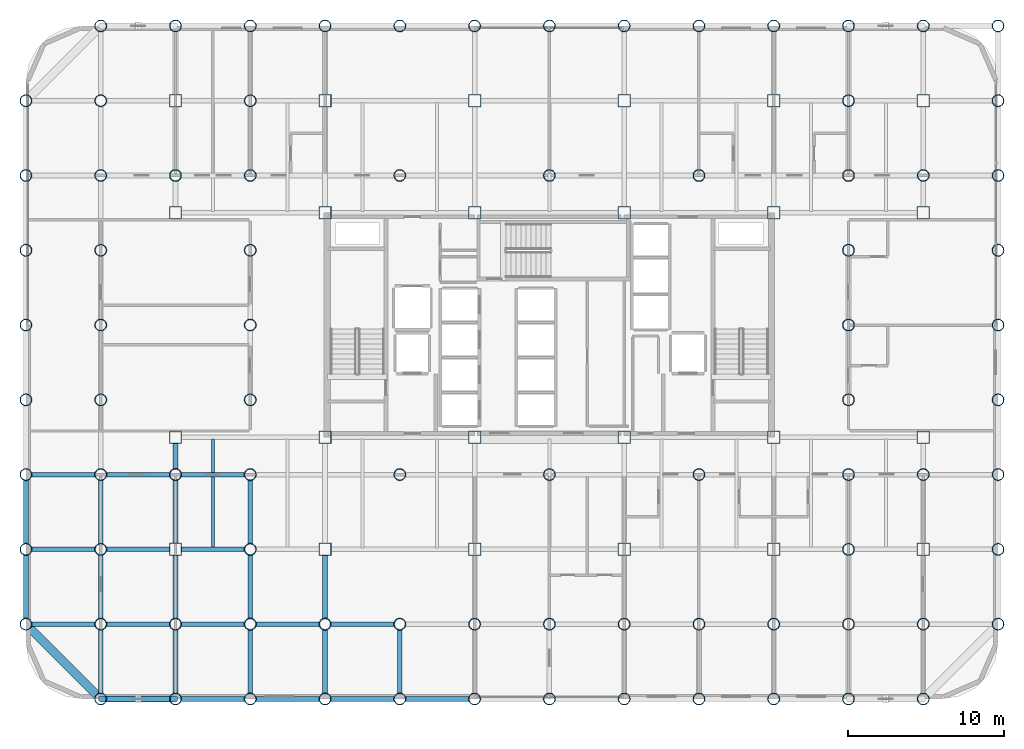
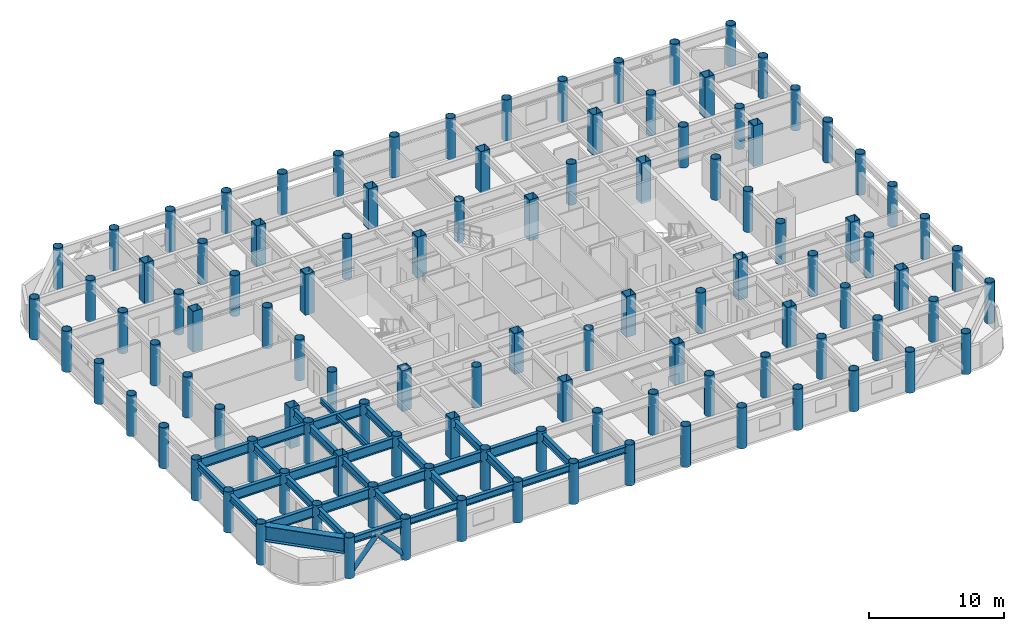
# One storey, part 1 of 21: 108 columns, 33 beams, 2 members.
"""IFC4 building model written with IfcOpenShell, lengths in metres."""

from ifc_helpers import new_model, si_unit, direction, frame, origin, origin_2d, place, context, subcontext, project, spatial, hollow_rectangle, hollow_circle, i_section, extrude, material, material_profile, profile_set, type_object, element, save


model = new_model("IFC4")

# Units and contexts
model_context = context("Model", 3, precision=1e-05, world=origin(), true_north=direction((0.0, 1.0)))
body_context = subcontext(model_context, "Body", "Model", "MODEL_VIEW")
ifc_project = project(units=[si_unit("LENGTHUNIT", "METRE"), si_unit("AREAUNIT", "SQUARE_METRE"), si_unit("VOLUMEUNIT", "CUBIC_METRE"), si_unit("PLANEANGLEUNIT", "RADIAN"), si_unit("MASSUNIT", "GRAM", prefix="KILO")], contexts=[model_context])

# Site, building, storey
site_placement = place(None, origin())
site = spatial("IfcSite", under=ifc_project, at=site_placement, CompositionType="ELEMENT")
building_placement = place(site_placement, origin())
building = spatial("IfcBuilding", under=site, at=building_placement, Name="Kallvorn Hotel Tower", CompositionType="ELEMENT")
storey_placement = place(building_placement, frame((0.0, 0.0, 44.800048828125)))
storey = spatial("IfcBuildingStorey", under=building, at=storey_placement, Name="L09", CompositionType="ELEMENT", Elevation=44.800048828125)

# Columns
ifc_material_1 = material(Name="Structural steel S355J2H", Category="steel")
ifc_material_profile_1 = material_profile(ifc_material_1, hollow_circle(Radius=0.381103515625, WallThickness=0.031982421875, at=origin_2d()), Name="CHS 762x32")
ifc_profile_set_1 = profile_set([ifc_material_profile_1], Name="Structural steel S355J2H")
column_type_1 = type_object("IfcColumnType", Name="COL_CHS_762", PredefinedType="COLUMN", material=ifc_profile_set_1)
for number, where, z_axis, x_axis, name in (
    (1, (-33.60009765625, -19.199951171875, 0.0), (0.0, 0.0, 1.0), (1.0, 0.0, 0.0), "L09 Exoskeleton Column EC01"),
    (2, (-33.60009765625, -14.39990234375, 0.0), (0.0, 0.0, 1.0), (1.0, 0.0, 0.0), "L09 Exoskeleton Column EC02"),
    (3, (-33.60009765625, -9.60009765625, 0.0), (0.0, 0.0, 1.0), (1.0, 0.0, 0.0), "L09 Exoskeleton Column EC03"),
    (4, (-33.60009765625, -4.800048828125, 0.0), (0.0, 0.0, 1.0), (1.0, 0.0, 0.0), "L09 Exoskeleton Column EC04"),
    (5, (-33.60009765625, 0.0, 0.0), (0.0, 0.0, 1.0), (1.0, 0.0, 0.0), "L09 Exoskeleton Column EC05"),
    (6, (-33.60009765625, 4.800048828125, 0.0), (0.0, 0.0, 1.0), (1.0, 0.0, 0.0), "L09 Exoskeleton Column EC06"),
    (7, (-33.60009765625, 9.60009765625, 0.0), (0.0, 0.0, 1.0), (1.0, 0.0, 0.0), "L09 Exoskeleton Column EC07"),
    (8, (-33.60009765625, 14.39990234375, 0.0), (0.0, 0.0, 1.0), (1.0, 0.0, 0.0), "L09 Exoskeleton Column EC08"),
    (9, (-28.800048828125, -24.0, 0.0), (0.0, 0.0, 1.0), (1.0, 0.0, 0.0), "L09 Exoskeleton Column EC09"),
    (10, (-28.800048828125, -19.199951171875, 0.0), (0.0, 0.0, 1.0), (1.0, 0.0, 0.0), "L09 Exoskeleton Column EC10"),
    (11, (-28.800048828125, -14.39990234375, 0.0), (0.0, 0.0, 1.0), (1.0, 0.0, 0.0), "L09 Exoskeleton Column EC11"),
    (12, (-28.800048828125, -9.60009765625, 0.0), (0.0, 0.0, 1.0), (1.0, 0.0, 0.0), "L09 Exoskeleton Column EC12"),
    (13, (-28.800048828125, -4.800048828125, 0.0), (0.0, 0.0, 1.0), (1.0, 0.0, 0.0), "L09 Exoskeleton Column EC13"),
    (14, (-28.800048828125, 0.0, 0.0), (0.0, 0.0, 1.0), (1.0, 0.0, 0.0), "L09 Exoskeleton Column EC14"),
    (15, (-28.800048828125, 4.800048828125, 0.0), (0.0, 0.0, 1.0), (1.0, 0.0, 0.0), "L09 Exoskeleton Column EC15"),
    (16, (-28.800048828125, 9.60009765625, 0.0), (0.0, 0.0, 1.0), (1.0, 0.0, 0.0), "L09 Exoskeleton Column EC16"),
    (17, (-28.800048828125, 14.39990234375, 0.0), (0.0, 0.0, 1.0), (1.0, 0.0, 0.0), "L09 Exoskeleton Column EC17"),
    (18, (-28.800048828125, 19.199951171875, 0.0), (0.0, 0.0, 1.0), (1.0, 0.0, 0.0), "L09 Exoskeleton Column EC18"),
    (19, (-24.0, -24.0, 0.0), (0.0, 0.0, 1.0), (1.0, 0.0, 0.0), "L09 Exoskeleton Column EC19"),
    (20, (-24.0, -19.199951171875, 0.0), (0.0, 0.0, 1.0), (1.0, 0.0, 0.0), "L09 Exoskeleton Column EC20"),
    (21, (-24.0, -9.60009765625, 0.0), (0.0, 0.0, 1.0), (1.0, 0.0, 0.0), "L09 Exoskeleton Column EC21"),
    (22, (-24.0, 9.60009765625, 0.0), (0.0, 0.0, 1.0), (1.0, 0.0, 0.0), "L09 Exoskeleton Column EC22"),
    (23, (-24.0, 19.199951171875, 0.0), (0.0, 0.0, 1.0), (1.0, 0.0, 0.0), "L09 Exoskeleton Column EC23"),
    (24, (-19.199951171875, -24.0, 0.0), (0.0, 0.0, 1.0), (1.0, 0.0, 0.0), "L09 Exoskeleton Column EC24"),
    (25, (-19.199951171875, -19.199951171875, 0.0), (0.0, 0.0, 1.0), (1.0, 0.0, 0.0), "L09 Exoskeleton Column EC25"),
    (26, (-19.199951171875, -14.39990234375, 0.0), (0.0, 0.0, 1.0), (1.0, 0.0, 0.0), "L09 Exoskeleton Column EC26"),
    (27, (-19.199951171875, -9.60009765625, 0.0), (0.0, 0.0, 1.0), (1.0, 0.0, 0.0), "L09 Exoskeleton Column EC27"),
    (28, (-19.199951171875, -4.800048828125, 0.0), (0.0, 0.0, 1.0), (1.0, 0.0, 0.0), "L09 Exoskeleton Column EC28"),
    (29, (-19.199951171875, 0.0, 0.0), (0.0, 0.0, 1.0), (1.0, 0.0, 0.0), "L09 Exoskeleton Column EC29"),
    (30, (-19.199951171875, 4.800048828125, 0.0), (0.0, 0.0, 1.0), (1.0, 0.0, 0.0), "L09 Exoskeleton Column EC30"),
    (31, (-19.199951171875, 9.60009765625, 0.0), (0.0, 0.0, 1.0), (1.0, 0.0, 0.0), "L09 Exoskeleton Column EC31"),
    (32, (-19.199951171875, 14.39990234375, 0.0), (0.0, 0.0, 1.0), (1.0, 0.0, 0.0), "L09 Exoskeleton Column EC32"),
    (33, (-19.199951171875, 19.199951171875, 0.0), (0.0, 0.0, 1.0), (1.0, 0.0, 0.0), "L09 Exoskeleton Column EC33"),
    (34, (-14.39990234375, -24.0, 0.0), (0.0, 0.0, 1.0), (1.0, 0.0, 0.0), "L09 Exoskeleton Column EC34"),
    (35, (-14.39990234375, -19.199951171875, 0.0), (0.0, 0.0, 1.0), (1.0, 0.0, 0.0), "L09 Exoskeleton Column EC35"),
    (36, (-14.39990234375, 19.199951171875, 0.0), (0.0, 0.0, 1.0), (1.0, 0.0, 0.0), "L09 Exoskeleton Column EC36"),
    (37, (-9.60009765625, -24.0, 0.0), (0.0, 0.0, 1.0), (1.0, 0.0, 0.0), "L09 Exoskeleton Column EC37"),
    (38, (-9.60009765625, -19.199951171875, 0.0), (0.0, 0.0, 1.0), (1.0, 0.0, 0.0), "L09 Exoskeleton Column EC38"),
    (39, (-9.60009765625, -9.60009765625, 0.0), (0.0, 0.0, 1.0), (1.0, 0.0, 0.0), "L09 Exoskeleton Column EC39"),
    (40, (-9.60009765625, 9.60009765625, 0.0), (0.0, 0.0, 1.0), (1.0, 0.0, 0.0), "L09 Exoskeleton Column EC40"),
    (41, (-9.60009765625, 19.199951171875, 0.0), (0.0, 0.0, 1.0), (1.0, 0.0, 0.0), "L09 Exoskeleton Column EC41"),
    (42, (-4.800048828125, -24.0, 0.0), (0.0, 0.0, 1.0), (1.0, 0.0, 0.0), "L09 Exoskeleton Column EC42"),
    (43, (-4.800048828125, -19.199951171875, 0.0), (0.0, 0.0, 1.0), (1.0, 0.0, 0.0), "L09 Exoskeleton Column EC43"),
    (44, (-4.800048828125, 19.199951171875, 0.0), (0.0, 0.0, 1.0), (1.0, 0.0, 0.0), "L09 Exoskeleton Column EC44"),
    (45, (0.0, -24.0, 0.0), (0.0, 0.0, 1.0), (1.0, 0.0, 0.0), "L09 Exoskeleton Column EC45"),
    (46, (0.0, -19.199951171875, 0.0), (0.0, 0.0, 1.0), (1.0, 0.0, 0.0), "L09 Exoskeleton Column EC46"),
    (47, (0.0, -9.60009765625, 0.0), (0.0, 0.0, 1.0), (1.0, 0.0, 0.0), "L09 Exoskeleton Column EC47"),
    (48, (0.0, 9.60009765625, 0.0), (0.0, 0.0, 1.0), (1.0, 0.0, 0.0), "L09 Exoskeleton Column EC48"),
    (49, (0.0, 19.199951171875, 0.0), (0.0, 0.0, 1.0), (1.0, 0.0, 0.0), "L09 Exoskeleton Column EC49"),
    (50, (4.800048828125, -24.0, 0.0), (0.0, 0.0, 1.0), (1.0, 0.0, 0.0), "L09 Exoskeleton Column EC50"),
    (51, (4.800048828125, -19.199951171875, 0.0), (0.0, 0.0, 1.0), (1.0, 0.0, 0.0), "L09 Exoskeleton Column EC51"),
    (52, (4.800048828125, 19.199951171875, 0.0), (0.0, 0.0, 1.0), (1.0, 0.0, 0.0), "L09 Exoskeleton Column EC52"),
    (53, (9.60009765625, -24.0, 0.0), (0.0, 0.0, 1.0), (1.0, 0.0, 0.0), "L09 Exoskeleton Column EC53"),
    (54, (9.60009765625, -19.199951171875, 0.0), (0.0, 0.0, 1.0), (1.0, 0.0, 0.0), "L09 Exoskeleton Column EC54"),
    (55, (9.60009765625, -9.60009765625, 0.0), (0.0, 0.0, 1.0), (1.0, 0.0, 0.0), "L09 Exoskeleton Column EC55"),
    (56, (9.60009765625, 9.60009765625, 0.0), (0.0, 0.0, 1.0), (1.0, 0.0, 0.0), "L09 Exoskeleton Column EC56"),
    (57, (9.60009765625, 19.199951171875, 0.0), (0.0, 0.0, 1.0), (1.0, 0.0, 0.0), "L09 Exoskeleton Column EC57"),
    (58, (14.39990234375, -24.0, 0.0), (0.0, 0.0, 1.0), (1.0, 0.0, 0.0), "L09 Exoskeleton Column EC58"),
    (59, (14.39990234375, -19.199951171875, 0.0), (0.0, 0.0, 1.0), (1.0, 0.0, 0.0), "L09 Exoskeleton Column EC59"),
    (60, (14.39990234375, 19.199951171875, 0.0), (0.0, 0.0, 1.0), (1.0, 0.0, 0.0), "L09 Exoskeleton Column EC60"),
    (61, (19.199951171875, -24.0, 0.0), (0.0, 0.0, 1.0), (1.0, 0.0, 0.0), "L09 Exoskeleton Column EC61"),
    (62, (19.199951171875, -19.199951171875, 0.0), (0.0, 0.0, 1.0), (1.0, 0.0, 0.0), "L09 Exoskeleton Column EC62"),
    (63, (19.199951171875, -14.39990234375, 0.0), (0.0, 0.0, 1.0), (1.0, 0.0, 0.0), "L09 Exoskeleton Column EC63"),
    (64, (19.199951171875, -9.60009765625, 0.0), (0.0, 0.0, 1.0), (1.0, 0.0, 0.0), "L09 Exoskeleton Column EC64"),
    (65, (19.199951171875, -4.800048828125, 0.0), (0.0, 0.0, 1.0), (1.0, 0.0, 0.0), "L09 Exoskeleton Column EC65"),
    (66, (19.199951171875, 0.0, 0.0), (0.0, 0.0, 1.0), (1.0, 0.0, 0.0), "L09 Exoskeleton Column EC66"),
    (67, (19.199951171875, 4.800048828125, 0.0), (0.0, 0.0, 1.0), (1.0, 0.0, 0.0), "L09 Exoskeleton Column EC67"),
    (68, (19.199951171875, 9.60009765625, 0.0), (0.0, 0.0, 1.0), (1.0, 0.0, 0.0), "L09 Exoskeleton Column EC68"),
    (69, (19.199951171875, 14.39990234375, 0.0), (0.0, 0.0, 1.0), (1.0, 0.0, 0.0), "L09 Exoskeleton Column EC69"),
    (70, (19.199951171875, 19.199951171875, 0.0), (0.0, 0.0, 1.0), (1.0, 0.0, 0.0), "L09 Exoskeleton Column EC70"),
    (71, (24.0, -24.0, 0.0), (0.0, 0.0, 1.0), (1.0, 0.0, 0.0), "L09 Exoskeleton Column EC71"),
    (72, (24.0, -19.199951171875, 0.0), (0.0, 0.0, 1.0), (1.0, 0.0, 0.0), "L09 Exoskeleton Column EC72"),
    (73, (24.0, -9.60009765625, 0.0), (0.0, 0.0, 1.0), (1.0, 0.0, 0.0), "L09 Exoskeleton Column EC73"),
    (74, (24.0, 9.60009765625, 0.0), (0.0, 0.0, 1.0), (1.0, 0.0, 0.0), "L09 Exoskeleton Column EC74"),
    (75, (24.0, 19.199951171875, 0.0), (0.0, 0.0, 1.0), (1.0, 0.0, 0.0), "L09 Exoskeleton Column EC75"),
    (76, (28.800048828125, -19.199951171875, 0.0), (0.0, 0.0, 1.0), (1.0, 0.0, 0.0), "L09 Exoskeleton Column EC76"),
    (77, (28.800048828125, -14.39990234375, 0.0), (0.0, 0.0, 1.0), (1.0, 0.0, 0.0), "L09 Exoskeleton Column EC77"),
    (78, (28.800048828125, -9.60009765625, 0.0), (0.0, 0.0, 1.0), (1.0, 0.0, 0.0), "L09 Exoskeleton Column EC78"),
    (79, (28.800048828125, -4.800048828125, 0.0), (0.0, 0.0, 1.0), (1.0, 0.0, 0.0), "L09 Exoskeleton Column EC79"),
    (80, (28.800048828125, 0.0, 0.0), (0.0, 0.0, 1.0), (1.0, 0.0, 0.0), "L09 Exoskeleton Column EC80"),
    (81, (28.800048828125, 4.800048828125, 0.0), (0.0, 0.0, 1.0), (1.0, 0.0, 0.0), "L09 Exoskeleton Column EC81"),
    (82, (28.800048828125, 9.60009765625, 0.0), (0.0, 0.0, 1.0), (1.0, 0.0, 0.0), "L09 Exoskeleton Column EC82"),
    (83, (28.800048828125, 14.39990234375, 0.0), (0.0, 0.0, 1.0), (1.0, 0.0, 0.0), "L09 Exoskeleton Column EC83"),
    (84, (28.800048828125, 19.199951171875, 0.0), (0.0, 0.0, 1.0), (1.0, 0.0, 0.0), "L09 Exoskeleton Column EC84"),
):
    element("IfcColumn", number, at=place(storey_placement, frame(where, z_axis=z_axis, x_axis=x_axis)), inside=storey, type_object=column_type_1, Name=name, PredefinedType="COLUMN", context=body_context, shape_type="SweptSolid", body=[
        extrude(hollow_circle(Radius=0.381103515625, WallThickness=0.031982421875, at=origin_2d()), origin(), (0.0, 0.0, 1.0), 3.699951171875),
    ])
ifc_material_2 = material(Name="Structural steel S355J2H", Category="steel")
ifc_material_profile_2 = material_profile(ifc_material_2, hollow_rectangle(XDim=0.800048828125, YDim=0.800048828125, WallThickness=0.035888671875, at=origin_2d()), Name="RHS 800x800x36")
ifc_profile_set_2 = profile_set([ifc_material_profile_2], Name="Structural steel S355J2H")
column_type_2 = type_object("IfcColumnType", Name="COL_RHS_800", PredefinedType="COLUMN", material=ifc_profile_set_2)
for number, where, z_axis, x_axis, name in (
    (85, (-24.0, -14.39990234375, 0.0), (0.0, 0.0, 1.0), (1.0, 0.0, 0.0), "L09 Inner Column IC01"),
    (86, (-24.0, -7.199951171875, 0.0), (0.0, 0.0, 1.0), (1.0, 0.0, 0.0), "L09 Inner Column IC02"),
    (87, (-24.0, 7.199951171875, 0.0), (0.0, 0.0, 1.0), (1.0, 0.0, 0.0), "L09 Inner Column IC03"),
    (88, (-24.0, 14.39990234375, 0.0), (0.0, 0.0, 1.0), (1.0, 0.0, 0.0), "L09 Inner Column IC04"),
    (89, (-14.39990234375, -14.39990234375, 0.0), (0.0, 0.0, 1.0), (1.0, 0.0, 0.0), "L09 Inner Column IC05"),
    (90, (-14.39990234375, -7.199951171875, 0.0), (0.0, 0.0, 1.0), (1.0, 0.0, 0.0), "L09 Inner Column IC06"),
    (91, (-14.39990234375, 7.199951171875, 0.0), (0.0, 0.0, 1.0), (1.0, 0.0, 0.0), "L09 Inner Column IC07"),
    (92, (-14.39990234375, 14.39990234375, 0.0), (0.0, 0.0, 1.0), (1.0, 0.0, 0.0), "L09 Inner Column IC08"),
    (93, (-4.800048828125, -14.39990234375, 0.0), (0.0, 0.0, 1.0), (1.0, 0.0, 0.0), "L09 Inner Column IC09"),
    (94, (-4.800048828125, -7.199951171875, 0.0), (0.0, 0.0, 1.0), (1.0, 0.0, 0.0), "L09 Inner Column IC10"),
    (95, (-4.800048828125, 7.199951171875, 0.0), (0.0, 0.0, 1.0), (1.0, 0.0, 0.0), "L09 Inner Column IC11"),
    (96, (-4.800048828125, 14.39990234375, 0.0), (0.0, 0.0, 1.0), (1.0, 0.0, 0.0), "L09 Inner Column IC12"),
    (97, (4.800048828125, -14.39990234375, 0.0), (0.0, 0.0, 1.0), (1.0, 0.0, 0.0), "L09 Inner Column IC13"),
    (98, (4.800048828125, -7.199951171875, 0.0), (0.0, 0.0, 1.0), (1.0, 0.0, 0.0), "L09 Inner Column IC14"),
    (99, (4.800048828125, 7.199951171875, 0.0), (0.0, 0.0, 1.0), (1.0, 0.0, 0.0), "L09 Inner Column IC15"),
    (100, (4.800048828125, 14.39990234375, 0.0), (0.0, 0.0, 1.0), (1.0, 0.0, 0.0), "L09 Inner Column IC16"),
    (101, (14.39990234375, -14.39990234375, 0.0), (0.0, 0.0, 1.0), (1.0, 0.0, 0.0), "L09 Inner Column IC17"),
    (102, (14.39990234375, -7.199951171875, 0.0), (0.0, 0.0, 1.0), (1.0, 0.0, 0.0), "L09 Inner Column IC18"),
    (103, (14.39990234375, 7.199951171875, 0.0), (0.0, 0.0, 1.0), (1.0, 0.0, 0.0), "L09 Inner Column IC19"),
    (104, (14.39990234375, 14.39990234375, 0.0), (0.0, 0.0, 1.0), (1.0, 0.0, 0.0), "L09 Inner Column IC20"),
    (105, (24.0, -14.39990234375, 0.0), (0.0, 0.0, 1.0), (1.0, 0.0, 0.0), "L09 Inner Column IC21"),
    (106, (24.0, -7.199951171875, 0.0), (0.0, 0.0, 1.0), (1.0, 0.0, 0.0), "L09 Inner Column IC22"),
    (107, (24.0, 7.199951171875, 0.0), (0.0, 0.0, 1.0), (1.0, 0.0, 0.0), "L09 Inner Column IC23"),
    (108, (24.0, 14.39990234375, 0.0), (0.0, 0.0, 1.0), (1.0, 0.0, 0.0), "L09 Inner Column IC24"),
):
    element("IfcColumn", number, at=place(storey_placement, frame(where, z_axis=z_axis, x_axis=x_axis)), inside=storey, type_object=column_type_2, Name=name, PredefinedType="COLUMN", context=body_context, shape_type="SweptSolid", body=[
        extrude(hollow_rectangle(XDim=0.800048828125, YDim=0.800048828125, WallThickness=0.035888671875, at=origin_2d()), origin(), (0.0, 0.0, 1.0), 3.699951171875),
    ])

# Beams
ifc_material_3 = material(Name="Structural steel S355JR", Category="steel")
ifc_material_profile_3 = material_profile(ifc_material_3, i_section(OverallWidth=0.300048828125, OverallDepth=0.60009765625, WebThickness=0.015380859375, FlangeThickness=0.030029296875, at=origin_2d()), Name="HE 600 B")
ifc_profile_set_3 = profile_set([ifc_material_profile_3], Name="Structural steel S355JR")
beam_type_1 = type_object("IfcBeamType", Name="BM_HE600B", PredefinedType="SPANDREL", material=ifc_profile_set_3)
for number, where, z_axis, x_axis, name in (
    (109, (-28.428955078125, -24.0, 3.219970703125), (1.0, 0.0, 0.0), (0.0, 1.0, 0.0), "L10 Perimeter Spandrel 151"),
    (110, (-23.62890625, -24.0, 3.219970703125), (1.0, 0.0, 0.0), (0.0, 1.0, 0.0), "L10 Perimeter Spandrel 152"),
):
    element("IfcBeam", number, at=place(storey_placement, frame(where, z_axis=z_axis, x_axis=x_axis)), inside=storey, type_object=beam_type_1, Name=name, PredefinedType="SPANDREL", context=body_context, shape_type="SweptSolid", body=[
        extrude(i_section(OverallWidth=0.300048828125, OverallDepth=0.60009765625, WebThickness=0.015380859375, FlangeThickness=0.030029296875, at=origin_2d()), origin(), (0.0, 0.0, 1.0), 4.057861328125),
    ])
for number, where, z_axis, x_axis, name in (
    (111, (-18.8291015625, -24.0, 3.219970703125), (1.0, 0.0, 0.0), (0.0, 1.0, 0.0), "L10 Perimeter Spandrel 153"),
    (112, (-14.029052734375, -24.0, 3.219970703125), (1.0, 0.0, 0.0), (0.0, 1.0, 0.0), "L10 Perimeter Spandrel 154"),
    (113, (-9.22900390625, -24.0, 3.219970703125), (1.0, 0.0, 0.0), (0.0, 1.0, 0.0), "L10 Perimeter Spandrel 155"),
    (114, (-33.60009765625, -18.8291015625, 3.219970703125), (0.0, 1.0, 0.0), (-1.0, 0.0, 0.0), "L10 Perimeter Spandrel 174"),
    (115, (-33.60009765625, -14.029052734375, 3.219970703125), (0.0, 1.0, 0.0), (-1.0, 0.0, 0.0), "L10 Perimeter Spandrel 175"),
):
    element("IfcBeam", number, at=place(storey_placement, frame(where, z_axis=z_axis, x_axis=x_axis)), inside=storey, type_object=beam_type_1, Name=name, PredefinedType="SPANDREL", context=body_context, shape_type="SweptSolid", body=[
        extrude(i_section(OverallWidth=0.300048828125, OverallDepth=0.60009765625, WebThickness=0.015380859375, FlangeThickness=0.030029296875, at=origin_2d()), origin(), (0.0, 0.0, 1.0), 4.05810546875),
    ])
ifc_material_4 = material(Name="Structural steel S355JR", Category="steel")
ifc_material_profile_4 = material_profile(ifc_material_4, i_section(OverallWidth=0.300048828125, OverallDepth=0.699951171875, WebThickness=0.01708984375, FlangeThickness=0.031982421875, at=origin_2d()), Name="HE 700 B")
ifc_profile_set_4 = profile_set([ifc_material_profile_4], Name="Structural steel S355JR")
beam_type_2 = type_object("IfcBeamType", Name="BM_HE700B", PredefinedType="BEAM", material=ifc_profile_set_4)
beam_1_placement = place(storey_placement, frame((-28.800048828125, -23.64404296875, 3.169921875), z_axis=(0.0, 1.0, 0.0), x_axis=(-1.0, 0.0, 0.0)))
element("IfcBeam", 116, at=beam_1_placement, inside=storey, type_object=beam_type_2, Name="L10 Primary Y-Girder 73", PredefinedType="BEAM", context=body_context, shape_type="SweptSolid", body=[
    extrude(i_section(OverallWidth=0.300048828125, OverallDepth=0.699951171875, WebThickness=0.01708984375, FlangeThickness=0.031982421875, at=origin_2d()), origin(), (0.0, 0.0, 1.0), 4.088134765625),
])
for number, where, z_axis, x_axis, name in (
    (117, (-28.800048828125, -18.843994140625, 3.169921875), (0.0, 1.0, 0.0), (-1.0, 0.0, 0.0), "L10 Primary Y-Girder 74"),
    (118, (-28.800048828125, -14.0439453125, 3.169921875), (0.0, 1.0, 0.0), (-1.0, 0.0, 0.0), "L10 Primary Y-Girder 75"),
):
    element("IfcBeam", number, at=place(storey_placement, frame(where, z_axis=z_axis, x_axis=x_axis)), inside=storey, type_object=beam_type_2, Name=name, PredefinedType="BEAM", context=body_context, shape_type="SweptSolid", body=[
        extrude(i_section(OverallWidth=0.300048828125, OverallDepth=0.699951171875, WebThickness=0.01708984375, FlangeThickness=0.031982421875, at=origin_2d()), origin(), (0.0, 0.0, 1.0), 4.087890625),
    ])
beam_2_placement = place(storey_placement, frame((-24.0, -23.64404296875, 3.169921875), z_axis=(0.0, 1.0, 0.0), x_axis=(-1.0, 0.0, 0.0)))
element("IfcBeam", 119, at=beam_2_placement, inside=storey, type_object=beam_type_2, Name="L10 Primary Y-Girder 82", PredefinedType="BEAM", context=body_context, shape_type="SweptSolid", body=[
    extrude(i_section(OverallWidth=0.300048828125, OverallDepth=0.699951171875, WebThickness=0.01708984375, FlangeThickness=0.031982421875, at=origin_2d()), origin(), (0.0, 0.0, 1.0), 4.088134765625),
])
beam_3_placement = place(storey_placement, frame((-24.0, -18.843994140625, 3.169921875), z_axis=(0.0, 1.0, 0.0), x_axis=(-1.0, 0.0, 0.0)))
element("IfcBeam", 120, at=beam_3_placement, inside=storey, type_object=beam_type_2, Name="L10 Primary Y-Girder 83", PredefinedType="BEAM", context=body_context, shape_type="SweptSolid", body=[
    extrude(i_section(OverallWidth=0.300048828125, OverallDepth=0.699951171875, WebThickness=0.01708984375, FlangeThickness=0.031982421875, at=origin_2d()), origin(), (0.0, 0.0, 1.0), 4.069091796875),
])
beam_4_placement = place(storey_placement, frame((-24.0, -14.02490234375, 3.169921875), z_axis=(0.0, 1.0, 0.0), x_axis=(-1.0, 0.0, 0.0)))
element("IfcBeam", 121, at=beam_4_placement, inside=storey, type_object=beam_type_2, Name="L10 Primary Y-Girder 84", PredefinedType="BEAM", context=body_context, shape_type="SweptSolid", body=[
    extrude(i_section(OverallWidth=0.300048828125, OverallDepth=0.699951171875, WebThickness=0.01708984375, FlangeThickness=0.031982421875, at=origin_2d()), origin(), (0.0, 0.0, 1.0), 4.06884765625),
])
beam_5_placement = place(storey_placement, frame((-24.0, -9.243896484375, 3.169921875), z_axis=(0.0, 1.0, 0.0), x_axis=(-1.0, 0.0, 0.0)))
element("IfcBeam", 122, at=beam_5_placement, inside=storey, type_object=beam_type_2, Name="L10 Primary Y-Girder 85", PredefinedType="BEAM", context=body_context, shape_type="SweptSolid", body=[
    extrude(i_section(OverallWidth=0.300048828125, OverallDepth=0.699951171875, WebThickness=0.01708984375, FlangeThickness=0.031982421875, at=origin_2d()), origin(), (0.0, 0.0, 1.0), 1.6689453125),
])
beam_6_placement = place(storey_placement, frame((-19.199951171875, -23.64404296875, 3.169921875), z_axis=(0.0, 1.0, 0.0), x_axis=(-1.0, 0.0, 0.0)))
element("IfcBeam", 123, at=beam_6_placement, inside=storey, type_object=beam_type_2, Name="L10 Primary Y-Girder 89", PredefinedType="BEAM", context=body_context, shape_type="SweptSolid", body=[
    extrude(i_section(OverallWidth=0.300048828125, OverallDepth=0.699951171875, WebThickness=0.01708984375, FlangeThickness=0.031982421875, at=origin_2d()), origin(), (0.0, 0.0, 1.0), 4.088134765625),
])
for number, where, z_axis, x_axis, name in (
    (124, (-19.199951171875, -18.843994140625, 3.169921875), (0.0, 1.0, 0.0), (-1.0, 0.0, 0.0), "L10 Primary Y-Girder 90"),
    (125, (-19.199951171875, -14.0439453125, 3.169921875), (0.0, 1.0, 0.0), (-1.0, 0.0, 0.0), "L10 Primary Y-Girder 91"),
):
    element("IfcBeam", number, at=place(storey_placement, frame(where, z_axis=z_axis, x_axis=x_axis)), inside=storey, type_object=beam_type_2, Name=name, PredefinedType="BEAM", context=body_context, shape_type="SweptSolid", body=[
        extrude(i_section(OverallWidth=0.300048828125, OverallDepth=0.699951171875, WebThickness=0.01708984375, FlangeThickness=0.031982421875, at=origin_2d()), origin(), (0.0, 0.0, 1.0), 4.087890625),
    ])
beam_7_placement = place(storey_placement, frame((-14.39990234375, -23.64404296875, 3.169921875), z_axis=(0.0, 1.0, 0.0), x_axis=(-1.0, 0.0, 0.0)))
element("IfcBeam", 126, at=beam_7_placement, inside=storey, type_object=beam_type_2, Name="L10 Primary Y-Girder 98", PredefinedType="BEAM", context=body_context, shape_type="SweptSolid", body=[
    extrude(i_section(OverallWidth=0.300048828125, OverallDepth=0.699951171875, WebThickness=0.01708984375, FlangeThickness=0.031982421875, at=origin_2d()), origin(), (0.0, 0.0, 1.0), 4.088134765625),
])
beam_8_placement = place(storey_placement, frame((-14.39990234375, -18.843994140625, 3.169921875), z_axis=(0.0, 1.0, 0.0), x_axis=(-1.0, 0.0, 0.0)))
element("IfcBeam", 127, at=beam_8_placement, inside=storey, type_object=beam_type_2, Name="L10 Primary Y-Girder 99", PredefinedType="BEAM", context=body_context, shape_type="SweptSolid", body=[
    extrude(i_section(OverallWidth=0.300048828125, OverallDepth=0.699951171875, WebThickness=0.01708984375, FlangeThickness=0.031982421875, at=origin_2d()), origin(), (0.0, 0.0, 1.0), 4.069091796875),
])
beam_9_placement = place(storey_placement, frame((-9.60009765625, -23.64404296875, 3.169921875), z_axis=(0.0, 1.0, 0.0), x_axis=(-1.0, 0.0, 0.0)))
element("IfcBeam", 128, at=beam_9_placement, inside=storey, type_object=beam_type_2, Name="L10 Primary Y-Girder 103", PredefinedType="BEAM", context=body_context, shape_type="SweptSolid", body=[
    extrude(i_section(OverallWidth=0.300048828125, OverallDepth=0.699951171875, WebThickness=0.01708984375, FlangeThickness=0.031982421875, at=origin_2d()), origin(), (0.0, 0.0, 1.0), 4.088134765625),
])
ifc_material_5 = material(Name="Structural steel S355JR", Category="steel")
ifc_material_profile_5 = material_profile(ifc_material_5, i_section(OverallWidth=0.300048828125, OverallDepth=0.89990234375, WebThickness=0.0185546875, FlangeThickness=0.034912109375, at=origin_2d()), Name="HE 900 B")
ifc_profile_set_5 = profile_set([ifc_material_profile_5], Name="Structural steel S355JR")
beam_type_3 = type_object("IfcBeamType", Name="BM_HE900B", PredefinedType="BEAM", material=ifc_profile_set_5)
beam_10_placement = place(storey_placement, frame((-33.243896484375, -19.199951171875, 3.070068359375), z_axis=(1.0, 0.0, 0.0), x_axis=(0.0, 1.0, 0.0)))
element("IfcBeam", 129, at=beam_10_placement, inside=storey, type_object=beam_type_3, Name="L10 Primary X-Girder 01", PredefinedType="BEAM", context=body_context, shape_type="SweptSolid", body=[
    extrude(i_section(OverallWidth=0.300048828125, OverallDepth=0.89990234375, WebThickness=0.0185546875, FlangeThickness=0.034912109375, at=origin_2d()), origin(), (0.0, 0.0, 1.0), 4.087890625),
])
for number, where, z_axis, x_axis, name in (
    (130, (-28.444091796875, -19.199951171875, 3.070068359375), (1.0, 0.0, 0.0), (0.0, 1.0, 0.0), "L10 Primary X-Girder 02"),
    (131, (-23.64404296875, -19.199951171875, 3.070068359375), (1.0, 0.0, 0.0), (0.0, 1.0, 0.0), "L10 Primary X-Girder 03"),
):
    element("IfcBeam", number, at=place(storey_placement, frame(where, z_axis=z_axis, x_axis=x_axis)), inside=storey, type_object=beam_type_3, Name=name, PredefinedType="BEAM", context=body_context, shape_type="SweptSolid", body=[
        extrude(i_section(OverallWidth=0.300048828125, OverallDepth=0.89990234375, WebThickness=0.0185546875, FlangeThickness=0.034912109375, at=origin_2d()), origin(), (0.0, 0.0, 1.0), 4.088134765625),
    ])
for number, where, z_axis, x_axis, name in (
    (132, (-18.843994140625, -19.199951171875, 3.070068359375), (1.0, 0.0, 0.0), (0.0, 1.0, 0.0), "L10 Primary X-Girder 04"),
    (133, (-14.0439453125, -19.199951171875, 3.070068359375), (1.0, 0.0, 0.0), (0.0, 1.0, 0.0), "L10 Primary X-Girder 05"),
    (134, (-33.243896484375, -14.39990234375, 3.070068359375), (1.0, 0.0, 0.0), (0.0, 1.0, 0.0), "L10 Primary X-Girder 14"),
):
    element("IfcBeam", number, at=place(storey_placement, frame(where, z_axis=z_axis, x_axis=x_axis)), inside=storey, type_object=beam_type_3, Name=name, PredefinedType="BEAM", context=body_context, shape_type="SweptSolid", body=[
        extrude(i_section(OverallWidth=0.300048828125, OverallDepth=0.89990234375, WebThickness=0.0185546875, FlangeThickness=0.034912109375, at=origin_2d()), origin(), (0.0, 0.0, 1.0), 4.087890625),
    ])
for number, where, z_axis, x_axis, name in (
    (135, (-28.444091796875, -14.39990234375, 3.070068359375), (1.0, 0.0, 0.0), (0.0, 1.0, 0.0), "L10 Primary X-Girder 15"),
    (136, (-23.625, -14.39990234375, 3.070068359375), (1.0, 0.0, 0.0), (0.0, 1.0, 0.0), "L10 Primary X-Girder 16"),
):
    element("IfcBeam", number, at=place(storey_placement, frame(where, z_axis=z_axis, x_axis=x_axis)), inside=storey, type_object=beam_type_3, Name=name, PredefinedType="BEAM", context=body_context, shape_type="SweptSolid", body=[
        extrude(i_section(OverallWidth=0.300048828125, OverallDepth=0.89990234375, WebThickness=0.0185546875, FlangeThickness=0.034912109375, at=origin_2d()), origin(), (0.0, 0.0, 1.0), 4.069091796875),
    ])
beam_11_placement = place(storey_placement, frame((-33.243896484375, -9.60009765625, 3.070068359375), z_axis=(1.0, 0.0, 0.0), x_axis=(0.0, 1.0, 0.0)))
element("IfcBeam", 137, at=beam_11_placement, inside=storey, type_object=beam_type_3, Name="L10 Primary X-Girder 24", PredefinedType="BEAM", context=body_context, shape_type="SweptSolid", body=[
    extrude(i_section(OverallWidth=0.300048828125, OverallDepth=0.89990234375, WebThickness=0.0185546875, FlangeThickness=0.034912109375, at=origin_2d()), origin(), (0.0, 0.0, 1.0), 4.087890625),
])
for number, where, z_axis, x_axis, name in (
    (138, (-28.444091796875, -9.60009765625, 3.070068359375), (1.0, 0.0, 0.0), (0.0, 1.0, 0.0), "L10 Primary X-Girder 25"),
    (139, (-23.64404296875, -9.60009765625, 3.070068359375), (1.0, 0.0, 0.0), (0.0, 1.0, 0.0), "L10 Primary X-Girder 26"),
):
    element("IfcBeam", number, at=place(storey_placement, frame(where, z_axis=z_axis, x_axis=x_axis)), inside=storey, type_object=beam_type_3, Name=name, PredefinedType="BEAM", context=body_context, shape_type="SweptSolid", body=[
        extrude(i_section(OverallWidth=0.300048828125, OverallDepth=0.89990234375, WebThickness=0.0185546875, FlangeThickness=0.034912109375, at=origin_2d()), origin(), (0.0, 0.0, 1.0), 4.088134765625),
    ])
ifc_material_6 = material(Name="Structural steel S355JR", Category="steel")
ifc_material_profile_6 = material_profile(ifc_material_6, i_section(OverallWidth=0.18994140625, OverallDepth=0.449951171875, WebThickness=0.009521484375, FlangeThickness=0.0146484375, at=origin_2d()), Name="IPE 450")
ifc_profile_set_6 = profile_set([ifc_material_profile_6], Name="Structural steel S355JR")
beam_type_4 = type_object("IfcBeamType", Name="BM_IPE450", PredefinedType="JOIST", material=ifc_profile_set_6)
beam_12_placement = place(storey_placement, frame((-21.60009765625, -14.300048828125, 3.294921875), z_axis=(0.0, 1.0, 0.0), x_axis=(-1.0, 0.0, 0.0)))
element("IfcBeam", 140, at=beam_12_placement, inside=storey, type_object=beam_type_4, Name="L10 Secondary Composite Joist 192", PredefinedType="JOIST", context=body_context, shape_type="SweptSolid", body=[
    extrude(i_section(OverallWidth=0.18994140625, OverallDepth=0.449951171875, WebThickness=0.009521484375, FlangeThickness=0.0146484375, at=origin_2d()), origin(), (0.0, 0.0, 1.0), 7.0),
])
ifc_material_7 = material(Name="Structural steel S355JR", Category="steel")
ifc_material_profile_7 = material_profile(ifc_material_7, i_section(OverallWidth=0.550048828125, OverallDepth=1.39990234375, WebThickness=0.02490234375, FlangeThickness=0.044921875, at=origin_2d()), Name="PG 1400x550x25x45")
ifc_profile_set_7 = profile_set([ifc_material_profile_7], Name="Structural steel S355JR")
beam_type_5 = type_object("IfcBeamType", Name="BM_PG_1400", PredefinedType="BEAM", material=ifc_profile_set_7)
beam_13_placement = place(storey_placement, frame((-33.337646484375, -19.46240234375, 2.820068359375), z_axis=(0.707106781187, -0.707106781187, 0.0), x_axis=(0.707106781187, 0.707106781187, 0.0)))
element("IfcBeam", 141, at=beam_13_placement, inside=storey, type_object=beam_type_5, Name="L10 Rounded Corner Tie Beam 189", PredefinedType="BEAM", context=body_context, shape_type="SweptSolid", body=[
    extrude(i_section(OverallWidth=0.550048828125, OverallDepth=1.39990234375, WebThickness=0.02490234375, FlangeThickness=0.044921875, at=origin_2d()), origin(), (0.0, 0.0, 1.0), 6.04638671875),
])

# Members
ifc_material_8 = material(Name="Structural steel S355J2H", Category="steel")
ifc_material_profile_8 = material_profile(ifc_material_8, hollow_circle(Radius=0.203125, WallThickness=0.01611328125, at=origin_2d()), Name="CHS 406.4x16")
ifc_profile_set_8 = profile_set([ifc_material_profile_8], Name="Structural steel S355J2H")
member_type = type_object("IfcMemberType", Name="MBR_EXO_CHS406", PredefinedType="BRACE", material=ifc_profile_set_8)
for number, where, z_axis, x_axis, name in (
    (142, (-28.786865234375, -24.0, 0.195068359375), (0.65346062529, 0.0, 0.756960508346), (0.0, 1.0, 0.0), "L09 Exoskeleton K-Brace S1A"),
    (143, (-24.01318359375, -24.0, 0.195068359375), (-0.65346062529, 0.0, 0.756960508346), (0.0, -1.0, 0.0), "L09 Exoskeleton K-Brace S1B"),
):
    element("IfcMember", number, at=place(storey_placement, frame(where, z_axis=z_axis, x_axis=x_axis)), inside=storey, type_object=member_type, Name=name, PredefinedType="BRACE", context=body_context, shape_type="SweptSolid", body=[
        extrude(hollow_circle(Radius=0.203125, WallThickness=0.01611328125, at=origin_2d()), origin(), (0.0, 0.0, 1.0), 3.632568359375),
    ])

save(model, "model.ifc")
